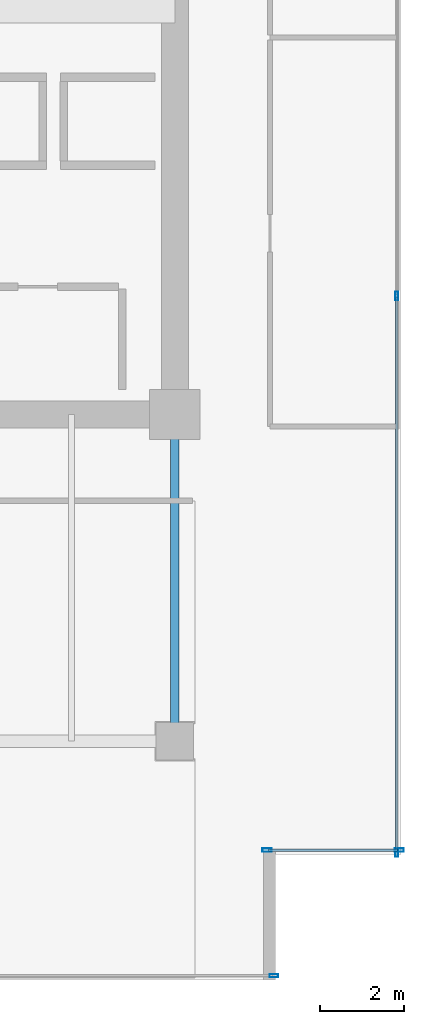
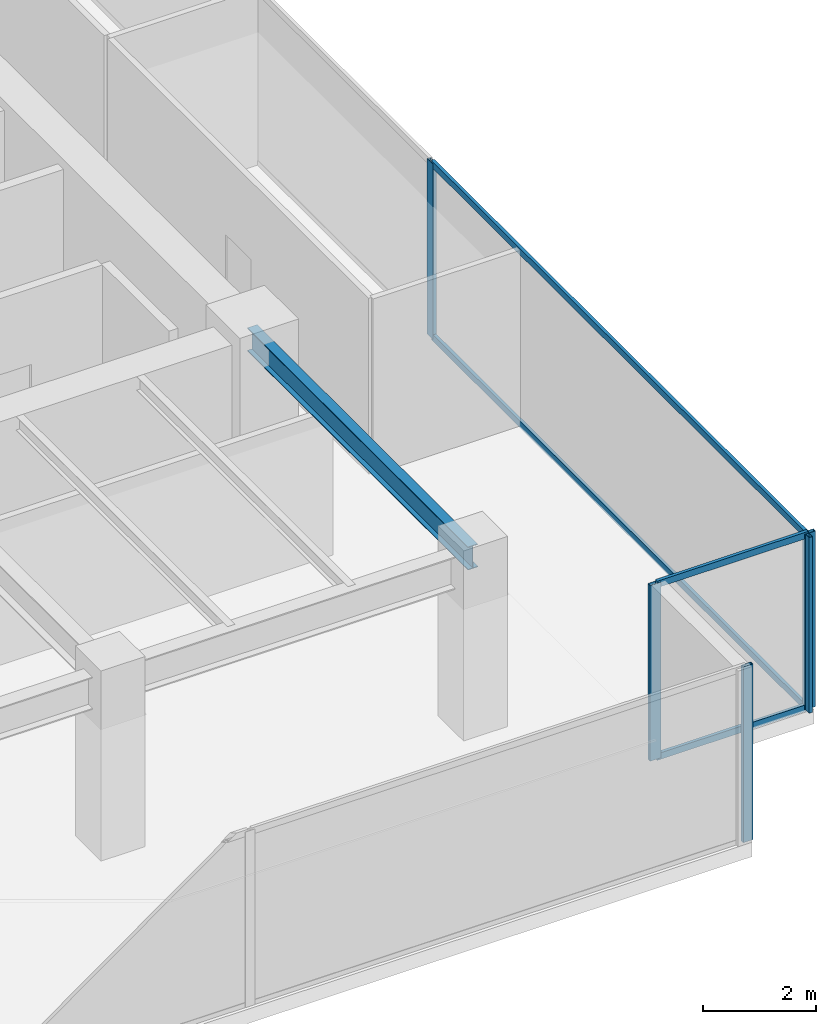
# One storey, part 21 of 33: 9 members, 1 beam, 3 elements without a shape of their own.
"""IFC4 building model written with IfcOpenShell, lengths in metres."""

from ifc_helpers import new_model, si_unit, direction, frame, origin, origin_2d, place, context, subcontext, project, spatial, hollow_rectangle, i_section, extrude, source, transform, mapped, material, layer, layer_set, material_profile, profile_set, type_object, type_shapes, element, aggregate, save


model = new_model("IFC4")

# Units and contexts
model_context = context("Model", 3, precision=1e-05, world=origin(), true_north=direction((0.0, 1.0)))
body_context = subcontext(model_context, "Body", "Model", "MODEL_VIEW")
ifc_project = project(units=[si_unit("LENGTHUNIT", "METRE"), si_unit("AREAUNIT", "SQUARE_METRE"), si_unit("VOLUMEUNIT", "CUBIC_METRE"), si_unit("PLANEANGLEUNIT", "RADIAN"), si_unit("MASSUNIT", "GRAM", prefix="KILO")], contexts=[model_context])

# Site, building, storey
site_placement = place(None, origin())
site = spatial("IfcSite", under=ifc_project, at=site_placement, CompositionType="ELEMENT")
building_placement = place(site_placement, origin())
building = spatial("IfcBuilding", under=site, at=building_placement, Name="Haelvirn Gate Laboratories", CompositionType="ELEMENT")
storey_placement = place(building_placement, frame((0.0, 0.0, 133.800048828125)))
storey = spatial("IfcBuildingStorey", under=building, at=storey_placement, Name="L32", CompositionType="ELEMENT", Elevation=133.800048828125)

# Beam
ifc_material_1 = material(Name="Steel SM355", Category="steel")
ifc_material_profile_1 = material_profile(ifc_material_1, i_section(OverallWidth=0.199951171875, OverallDepth=0.5, WebThickness=0.010009765625, FlangeThickness=0.01611328125, at=origin_2d()), Name="H-500x200x10x16")
ifc_profile_set_1 = profile_set([ifc_material_profile_1], Name="Steel SM355")
beam_type = type_object("IfcBeamType", Name="BM-SP-500", PredefinedType="SPANDREL", material=ifc_profile_set_1)
shared_shape_1 = source(origin(), body_context, "Body", "SweptSolid", [
    extrude(i_section(OverallWidth=0.199951171875, OverallDepth=0.5, WebThickness=0.010009765625, FlangeThickness=0.01611328125, at=origin_2d()), origin(), (0.0, 0.0, 1.0), 7.800048828125),
])
type_shapes(beam_type, [shared_shape_1])
beam_placement = place(storey_placement, frame((67.39990234375, 7.0, 3.5400390625), z_axis=(0.0, 1.0, 0.0), x_axis=(-1.0, 0.0, 0.0)))
element("IfcBeam", 1, at=beam_placement, inside=storey, type_object=beam_type, Name="L32 Perimeter Spandrel X67.4 (7.0-14.8)", PredefinedType="SPANDREL", context=body_context, shape_type="MappedRepresentation", body=[
    mapped(shared_shape_1, transform((0.0, 0.0, 0.0), scale=1.0)),
])

# Curtain wall, members
ifc_material_2 = material(Name="Anodised bronze unitised aluminium & triple low-E glass", Category="aluminium")
ifc_layer_1 = layer(ifc_material_2, 0.181884765625, Name="CW-SYS-5")
ifc_layer_set_1 = layer_set([ifc_layer_1], Name="Anodised bronze unitised aluminium & triple low-E glass")
curtain_wall_type_1 = type_object("IfcCurtainWallType", Name="CW-SYS-5", PredefinedType="NOTDEFINED", material=ifc_layer_set_1)
curtain_wall_1_placement = place(storey_placement, origin())
curtain_wall_1 = element("IfcCurtainWall", 2, at=curtain_wall_1_placement, inside=storey, type_object=curtain_wall_type_1, Name="L32 Unitised Curtain Wall CW-L32-P0-E06-1", PredefinedType="NOTDEFINED")
ifc_material_3 = material(Name="Extruded aluminium 6063-T6 (anodised bronze)", Category="aluminium")
ifc_material_profile_2 = material_profile(ifc_material_3, hollow_rectangle(XDim=0.06494140625, YDim=0.139892578125, WallThickness=0.00390625, at=origin_2d()), Name="CWT-140x65x4")
ifc_profile_set_2 = profile_set([ifc_material_profile_2], Name="Extruded aluminium 6063-T6 (anodised bronze)")
member_type_1 = type_object("IfcMemberType", Name="CWT-T140", PredefinedType="USERDEFINED", material=ifc_profile_set_2)
shared_shape_2 = source(origin(), body_context, "Body", "SweptSolid", [
    extrude(hollow_rectangle(XDim=0.06494140625, YDim=0.139892578125, WallThickness=0.00390625, at=origin_2d()), origin(), (0.0, 0.0, 1.0), 3.080078125),
])
member_1_placement = place(storey_placement, frame((69.639892578125, 4.39990234375, 0.032470703125), z_axis=(1.0, 0.0, 0.0), x_axis=(0.0, 1.0, 0.0)))
member_1 = element("IfcMember", 3, at=member_1_placement, type_object=member_type_1, Name="CW5 transom 1.1", ObjectType="TRANSOM", PredefinedType="USERDEFINED", context=body_context, shape_type="MappedRepresentation", body=[
    mapped(shared_shape_2, transform((0.0, 0.0, 0.0), scale=1.0)),
])
member_2_placement = place(storey_placement, frame((69.639892578125, 4.39990234375, 3.757568359375), z_axis=(1.0, 0.0, 0.0), x_axis=(0.0, 1.0, 0.0)))
member_2 = element("IfcMember", 4, at=member_2_placement, type_object=member_type_1, Name="CW5 transom 1.2", ObjectType="TRANSOM", PredefinedType="USERDEFINED", context=body_context, shape_type="MappedRepresentation", body=[
    mapped(shared_shape_2, transform((0.0, 0.0, 0.0), scale=1.0)),
])

ifc_layer_2 = layer(ifc_material_2, 0.179931640625, Name="CW-SYS-3")
ifc_layer_set_2 = layer_set([ifc_layer_2], Name="Anodised bronze unitised aluminium & triple low-E glass")
curtain_wall_type_2 = type_object("IfcCurtainWallType", Name="CW-SYS-3", PredefinedType="NOTDEFINED", material=ifc_layer_set_2)
curtain_wall_2_placement = place(storey_placement, origin())
curtain_wall_2 = element("IfcCurtainWall", 5, at=curtain_wall_2_placement, inside=storey, type_object=curtain_wall_type_2, Name="L32 Unitised Curtain Wall CW-L32-P0-E07", PredefinedType="NOTDEFINED")
shared_shape_3 = source(origin(), body_context, "Body", "SweptSolid", [
    extrude(hollow_rectangle(XDim=0.06494140625, YDim=0.139892578125, WallThickness=0.00390625, at=origin_2d()), origin(), (0.0, 0.0, 1.0), 13.220947265625),
])
type_shapes(member_type_1, [shared_shape_2, shared_shape_3])
member_3_placement = place(storey_placement, frame((72.699951171875, 4.375, 0.032470703125), z_axis=(0.0, 1.0, 0.0), x_axis=(-1.0, 0.0, 0.0)))
member_3 = element("IfcMember", 6, at=member_3_placement, type_object=member_type_1, Name="CW3 transom 1.1", ObjectType="TRANSOM", PredefinedType="USERDEFINED", context=body_context, shape_type="MappedRepresentation", body=[
    mapped(shared_shape_3, transform((0.0, 0.0, 0.0), scale=1.0)),
])
member_4_placement = place(storey_placement, frame((72.699951171875, 4.375, 3.757568359375), z_axis=(0.0, 1.0, 0.0), x_axis=(-1.0, 0.0, 0.0)))
member_4 = element("IfcMember", 7, at=member_4_placement, type_object=member_type_1, Name="CW3 transom 1.2", ObjectType="TRANSOM", PredefinedType="USERDEFINED", context=body_context, shape_type="MappedRepresentation", body=[
    mapped(shared_shape_3, transform((0.0, 0.0, 0.0), scale=1.0)),
])

# Curtain wall, member
curtain_wall_3_placement = place(storey_placement, origin())
curtain_wall_3 = element("IfcCurtainWall", 8, at=curtain_wall_3_placement, inside=storey, type_object=curtain_wall_type_2, Name="L32 Unitised Curtain Wall CW-L32-P0-E04-1", PredefinedType="NOTDEFINED")
ifc_material_profile_3 = material_profile(ifc_material_3, hollow_rectangle(XDim=0.074951171875, YDim=0.199951171875, WallThickness=0.0048828125, at=origin_2d()), Name="CWM-200x75x5")
ifc_profile_set_3 = profile_set([ifc_material_profile_3], Name="Extruded aluminium 6063-T6 (anodised bronze)")
member_type_2 = type_object("IfcMemberType", Name="CWM-T200", PredefinedType="MULLION", material=ifc_profile_set_3)
shared_shape_4 = source(origin(), body_context, "Body", "SweptSolid", [
    extrude(hollow_rectangle(XDim=0.074951171875, YDim=0.199951171875, WallThickness=0.0048828125, at=origin_2d()), origin(), (0.0, 0.0, 1.0), 3.7900390625),
])
type_shapes(member_type_2, [shared_shape_4])
member_5_placement = place(storey_placement, frame((69.762451171875, 1.39990234375, 0.0), z_axis=(0.0, 0.0, 1.0), x_axis=(0.0, 1.0, 0.0)))
member_5 = element("IfcMember", 9, at=member_5_placement, type_object=member_type_2, Name="CW3 mullion 3", PredefinedType="MULLION", context=body_context, shape_type="MappedRepresentation", body=[
    mapped(shared_shape_4, transform((0.0, 0.0, 0.0), scale=1.0)),
])
aggregate(curtain_wall_3, [member_5])

# Member
member_6_placement = place(storey_placement, frame((72.699951171875, 4.33740234375, 0.0), z_axis=(0.0, 0.0, 1.0), x_axis=(-1.0, 0.0, 0.0)))
member_6 = element("IfcMember", 10, at=member_6_placement, type_object=member_type_2, Name="CW3 mullion 1", PredefinedType="MULLION", context=body_context, shape_type="MappedRepresentation", body=[
    mapped(shared_shape_4, transform((0.0, 0.0, 0.0), scale=1.0)),
])

member_7_placement = place(storey_placement, frame((72.699951171875, 17.63330078125, 0.0), z_axis=(0.0, 0.0, 1.0), x_axis=(-1.0, 0.0, 0.0)))
member_7 = element("IfcMember", 11, at=member_7_placement, type_object=member_type_2, Name="CW3 mullion 2", PredefinedType="MULLION", context=body_context, shape_type="MappedRepresentation", body=[
    mapped(shared_shape_4, transform((0.0, 0.0, 0.0), scale=1.0)),
])

aggregate(curtain_wall_2, [member_6, member_7, member_3, member_4])

ifc_material_profile_4 = material_profile(ifc_material_3, hollow_rectangle(XDim=0.080078125, YDim=0.219970703125, WallThickness=0.006103515625, at=origin_2d()), Name="CWM-220x80x6")
ifc_profile_set_4 = profile_set([ifc_material_profile_4], Name="Extruded aluminium 6063-T6 (anodised bronze)")
member_type_3 = type_object("IfcMemberType", Name="CWM-T220", PredefinedType="MULLION", material=ifc_profile_set_4)
shared_shape_5 = source(origin(), body_context, "Body", "SweptSolid", [
    extrude(hollow_rectangle(XDim=0.080078125, YDim=0.219970703125, WallThickness=0.006103515625, at=origin_2d()), origin(), (0.0, 0.0, 1.0), 3.7900390625),
])
type_shapes(member_type_3, [shared_shape_5])
member_8_placement = place(storey_placement, frame((69.60009765625, 4.39990234375, 0.0), z_axis=(0.0, 0.0, 1.0), x_axis=(0.0, 1.0, 0.0)))
member_8 = element("IfcMember", 12, at=member_8_placement, type_object=member_type_3, Name="CW5 mullion 1", PredefinedType="MULLION", context=body_context, shape_type="MappedRepresentation", body=[
    mapped(shared_shape_5, transform((0.0, 0.0, 0.0), scale=1.0)),
])

member_9_placement = place(storey_placement, frame((72.760009765625, 4.39990234375, 0.0), z_axis=(0.0, 0.0, 1.0), x_axis=(0.0, 1.0, 0.0)))
member_9 = element("IfcMember", 13, at=member_9_placement, type_object=member_type_3, Name="CW5 mullion 2", PredefinedType="MULLION", context=body_context, shape_type="MappedRepresentation", body=[
    mapped(shared_shape_5, transform((0.0, 0.0, 0.0), scale=1.0)),
])

aggregate(curtain_wall_1, [member_8, member_9, member_1, member_2])

save(model, "model.ifc")
